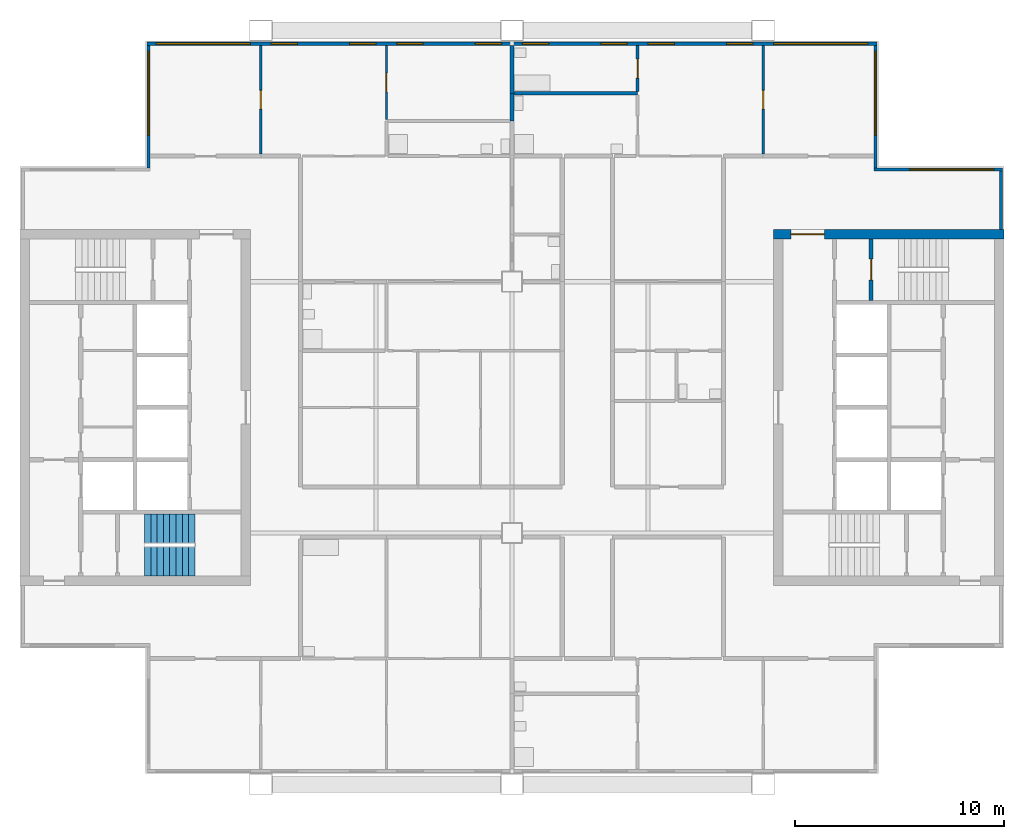
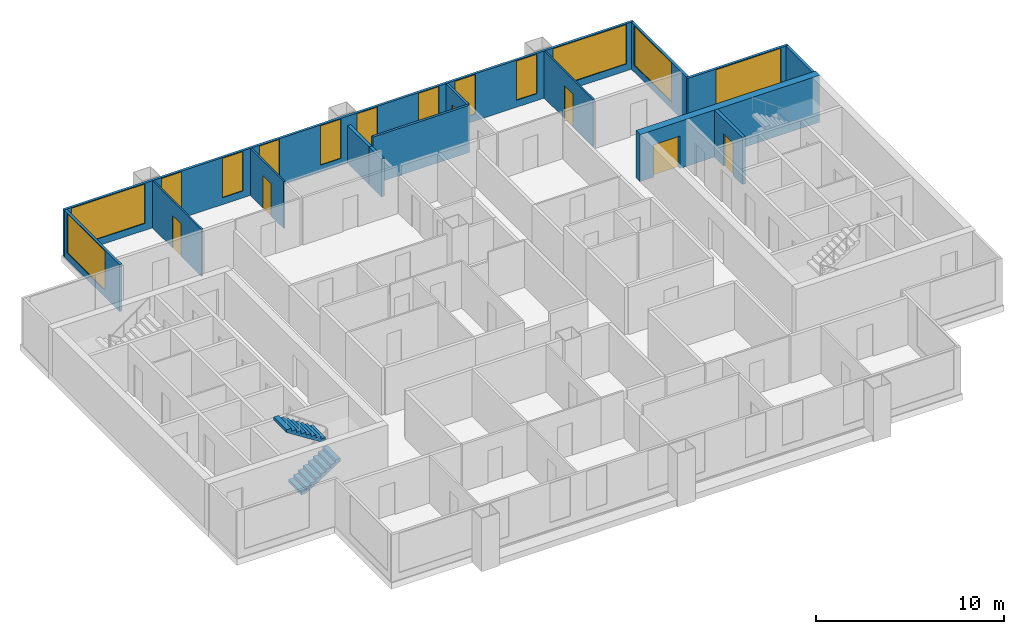
# One storey, part 6 of 9: 14 walls, 13 windows, 6 doors, 2 stair flights, 19 openings, 1 element without a shape of its own.
"""IFC4 building model written with IfcOpenShell, lengths in metres."""

from ifc_helpers import new_model, si_unit, direction, frame, frame_2d, origin, place, context, subcontext, project, spatial, polyline, rectangle, outline, extrude, material, layer, layer_set, type_object, element, fill, aggregate, save


model = new_model("IFC4")

# Units and contexts
model_context = context("Model", 3, precision=1e-05, world=origin(), true_north=direction((0.0, 1.0)))
body_context = subcontext(model_context, "Body", "Model", "MODEL_VIEW")
ifc_project = project(units=[si_unit("LENGTHUNIT", "METRE"), si_unit("AREAUNIT", "SQUARE_METRE"), si_unit("VOLUMEUNIT", "CUBIC_METRE"), si_unit("PLANEANGLEUNIT", "RADIAN"), si_unit("MASSUNIT", "GRAM", prefix="KILO")], contexts=[model_context])

# Site, building, storey
site_placement = place(None, origin())
site = spatial("IfcSite", under=ifc_project, at=site_placement, CompositionType="ELEMENT")
building_placement = place(site_placement, origin())
building = spatial("IfcBuilding", under=site, at=building_placement, Name="Kitamizu Gate Tower and Museum", CompositionType="ELEMENT")
storey_placement = place(building_placement, frame((0.0, 0.0, 221.39990234375)))
storey = spatial("IfcBuildingStorey", under=building, at=storey_placement, Name="L59", CompositionType="ELEMENT", Elevation=221.39990234375)

# Wall, opening, door
ifc_material_1 = material(Name="Concrete Fc42", Category="concrete")
ifc_layer_1 = layer(ifc_material_1, 0.449951171875)
ifc_layer_set_1 = layer_set([ifc_layer_1], Name="Concrete Fc42")
wall_type_1 = type_object("IfcWallType", Name="Core wall 450", PredefinedType="SHEAR", material=ifc_layer_set_1)
wall_1_placement = place(storey_placement, frame((59.5, 38.27490234375, 0.0), z_axis=(0.0, 0.0, 1.0), x_axis=(-1.0, 0.0, 0.0)))
wall_1 = element("IfcWall", 1, at=wall_1_placement, inside=storey, type_object=wall_type_1, Name="Core wall EN", PredefinedType="SHEAR", context=body_context, shape_type="SweptSolid", body=[
    extrude(rectangle(XDim=11.0, YDim=0.449951171875, at=frame_2d((5.5, 0.0))), origin(), (0.0, 0.0, 1.0), 3.050048828125),
])
opening_1_placement = place(wall_1_placement, frame((8.574951171875, 0.0, 0.0)))
opening_1 = element("IfcOpeningElement", 2, at=opening_1_placement, cuts=wall_1, Name="Opening L59-051", PredefinedType="OPENING", context=body_context, shape_type="SweptSolid", body=[
    extrude(rectangle(XDim=1.60009765625, YDim=2.10009765625, at=frame_2d((0.800048828125, 1.050048828125))), frame((0.0, 0.23486328125, 0.0), z_axis=(0.0, -1.0, 0.0), x_axis=(1.0, 0.0, 0.0)), (0.0, 0.0, 1.0), 0.469970703125),
])
ifc_material_2 = material(Name="Timber door set", Category="wood")
door_type_1 = type_object("IfcDoorType", Name="Entrance door 1600", OperationType="DOUBLE_DOOR_SINGLE_SWING", PredefinedType="DOOR", material=ifc_material_2)
door_1_placement = place(opening_1_placement, origin())
door_1 = element("IfcDoor", 3, at=door_1_placement, inside=storey, type_object=door_type_1, Name="Lobby door L59-051", OperationType="DOUBLE_DOOR_SINGLE_SWING", OverallHeight=2.10009765625, OverallWidth=1.60009765625, PredefinedType="DOOR", context=body_context, shape_type="SweptSolid", body=[
    extrude(rectangle(XDim=1.60009765625, YDim=2.10009765625, at=frame_2d((0.800048828125, 1.050048828125))), frame((0.0, 0.02490234375, 0.0), z_axis=(0.0, -1.0, 0.0), x_axis=(1.0, 0.0, 0.0)), (0.0, 0.0, 1.0), 0.050048828125),
])
fill(opening_1, door_1)

ifc_material_3 = material(Name="Gypsum board on galvanised stud")
ifc_layer_2 = layer(ifc_material_3, 0.10009765625)
ifc_layer_set_2 = layer_set([ifc_layer_2], Name="Gypsum board on galvanised stud")
wall_type_2 = type_object("IfcWallType", Name="Partition 100 NOT RATED", PredefinedType="PARTITIONING", material=ifc_layer_set_2)
wall_2_placement = place(storey_placement, frame((24.0, 42.10009765625, 0.0), z_axis=(0.0, 0.0, 1.0), x_axis=(0.0, 1.0, 0.0)))
wall_2 = element("IfcWall", 4, at=wall_2_placement, inside=storey, type_object=wall_type_2, Name="Partition L59-031", PredefinedType="PARTITIONING", context=body_context, shape_type="SweptSolid", body=[
    extrude(rectangle(XDim=5.179931640625, YDim=0.10009765625, at=frame_2d((2.58984375, 0.0))), origin(), (0.0, 0.0, 1.0), 3.050048828125),
])
opening_2_placement = place(wall_2_placement, frame((2.139892578125, 0.0, 0.0)))
opening_2 = element("IfcOpeningElement", 5, at=opening_2_placement, cuts=wall_2, Name="Opening L59-013", PredefinedType="OPENING", context=body_context, shape_type="SweptSolid", body=[
    extrude(rectangle(XDim=0.89990234375, YDim=2.10009765625, at=frame_2d((0.449951171875, 1.050048828125))), frame((0.0, 0.06005859375, 0.0), z_axis=(0.0, -1.0, 0.0), x_axis=(1.0, 0.0, 0.0)), (0.0, 0.0, 1.0), 0.1201171875),
])
ifc_material_4 = material(Name="Timber door set", Category="wood")
door_type_2 = type_object("IfcDoorType", Name="Room door 900", OperationType="NOTDEFINED", PredefinedType="DOOR", material=ifc_material_4)
door_2_placement = place(opening_2_placement, frame((0.89990234375, 0.0, 0.0), x_axis=(-1.0, 0.0, 0.0)))
door_2 = element("IfcDoor", 6, at=door_2_placement, inside=storey, type_object=door_type_2, Name="Door L59-013", OperationType="SINGLE_SWING_LEFT", OverallHeight=2.10009765625, OverallWidth=0.89990234375, PredefinedType="DOOR", context=body_context, shape_type="SweptSolid", body=[
    extrude(rectangle(XDim=0.89990234375, YDim=2.10009765625, at=frame_2d((0.449951171875, 1.050048828125))), frame((0.0, 0.02490234375, 0.0), z_axis=(0.0, -1.0, 0.0), x_axis=(1.0, 0.0, 0.0)), (0.0, 0.0, 1.0), 0.050048828125),
])
fill(opening_2, door_2)

wall_3_placement = place(storey_placement, frame((30.0, 43.7548828125, 0.0), z_axis=(0.0, 0.0, 1.0), x_axis=(0.0, 1.0, 0.0)))
wall_3 = element("IfcWall", 7, at=wall_3_placement, inside=storey, type_object=wall_type_2, Name="Partition L59-033", PredefinedType="PARTITIONING", context=body_context, shape_type="SweptSolid", body=[
    extrude(rectangle(XDim=3.525146484375, YDim=0.10009765625, at=frame_2d((1.7626953125, 0.0))), origin(), (0.0, 0.0, 1.0), 3.050048828125),
])
opening_3_placement = place(wall_3_placement, frame((1.3125, 0.0, 0.0)))
opening_3 = element("IfcOpeningElement", 8, at=opening_3_placement, cuts=wall_3, Name="Opening L59-017", PredefinedType="OPENING", context=body_context, shape_type="SweptSolid", body=[
    extrude(rectangle(XDim=0.89990234375, YDim=2.10009765625, at=frame_2d((0.449951171875, 1.050048828125))), frame((0.0, 0.06005859375, 0.0), z_axis=(0.0, -1.0, 0.0), x_axis=(1.0, 0.0, 0.0)), (0.0, 0.0, 1.0), 0.1201171875),
])
door_3_placement = place(opening_3_placement, frame((0.89990234375, 0.0, 0.0), x_axis=(-1.0, 0.0, 0.0)))
door_3 = element("IfcDoor", 9, at=door_3_placement, inside=storey, type_object=door_type_2, Name="Door L59-017", OperationType="SINGLE_SWING_LEFT", OverallHeight=2.10009765625, OverallWidth=0.89990234375, PredefinedType="DOOR", context=body_context, shape_type="SweptSolid", body=[
    extrude(rectangle(XDim=0.89990234375, YDim=2.10009765625, at=frame_2d((0.449951171875, 1.050048828125))), frame((0.0, 0.02490234375, 0.0), z_axis=(0.0, -1.0, 0.0), x_axis=(1.0, 0.0, 0.0)), (0.0, 0.0, 1.0), 0.050048828125),
])
fill(opening_3, door_3)

wall_4_placement = place(storey_placement, frame((48.0, 42.10009765625, 0.0), z_axis=(0.0, 0.0, 1.0), x_axis=(0.0, 1.0, 0.0)))
wall_4 = element("IfcWall", 10, at=wall_4_placement, inside=storey, type_object=wall_type_2, Name="Partition L59-076", PredefinedType="PARTITIONING", context=body_context, shape_type="SweptSolid", body=[
    extrude(rectangle(XDim=5.179931640625, YDim=0.10009765625, at=frame_2d((2.58984375, 0.0))), origin(), (0.0, 0.0, 1.0), 3.050048828125),
])
opening_4_placement = place(wall_4_placement, frame((2.139892578125, 0.0, 0.0)))
opening_4 = element("IfcOpeningElement", 11, at=opening_4_placement, cuts=wall_4, Name="Opening L59-026", PredefinedType="OPENING", context=body_context, shape_type="SweptSolid", body=[
    extrude(rectangle(XDim=0.89990234375, YDim=2.10009765625, at=frame_2d((0.449951171875, 1.050048828125))), frame((0.0, 0.06005859375, 0.0), z_axis=(0.0, -1.0, 0.0), x_axis=(1.0, 0.0, 0.0)), (0.0, 0.0, 1.0), 0.1201171875),
])
door_4_placement = place(opening_4_placement, origin())
door_4 = element("IfcDoor", 12, at=door_4_placement, inside=storey, type_object=door_type_2, Name="Door L59-026", OperationType="SINGLE_SWING_RIGHT", OverallHeight=2.10009765625, OverallWidth=0.89990234375, PredefinedType="DOOR", context=body_context, shape_type="SweptSolid", body=[
    extrude(rectangle(XDim=0.89990234375, YDim=2.10009765625, at=frame_2d((0.449951171875, 1.050048828125))), frame((0.0, 0.02490234375, 0.0), z_axis=(0.0, -1.0, 0.0), x_axis=(1.0, 0.0, 0.0)), (0.0, 0.0, 1.0), 0.050048828125),
])
fill(opening_4, door_4)

# Wall
ifc_material_5 = material(Name="Gypsum board on galvanised stud")
ifc_layer_3 = layer(ifc_material_5, 0.14990234375)
ifc_layer_set_3 = layer_set([ifc_layer_3], Name="Gypsum board on galvanised stud")
wall_type_3 = type_object("IfcWallType", Name="Partition 150", PredefinedType="PARTITIONING", material=ifc_layer_set_3)
wall_5_placement = place(storey_placement, frame((42.0, 45.0, 0.0), z_axis=(0.0, 0.0, 1.0), x_axis=(-1.0, 0.0, 0.0)))
element("IfcWall", 13, at=wall_5_placement, inside=storey, type_object=wall_type_3, Name="Partition L59-071", PredefinedType="PARTITIONING", context=body_context, shape_type="SweptSolid", body=[
    extrude(rectangle(XDim=5.89990234375, YDim=0.14990234375, at=frame_2d((2.949951171875, 0.0))), origin(), (0.0, 0.0, 1.0), 3.050048828125),
])

# Wall, opening, door
wall_6_placement = place(storey_placement, frame((42.0, 45.074951171875, 0.0), z_axis=(0.0, 0.0, 1.0), x_axis=(0.0, 1.0, 0.0)))
wall_6 = element("IfcWall", 14, at=wall_6_placement, inside=storey, type_object=wall_type_3, Name="Partition L59-075", PredefinedType="PARTITIONING", context=body_context, shape_type="SweptSolid", body=[
    extrude(rectangle(XDim=2.205078125, YDim=0.14990234375, at=frame_2d((1.1025390625, 0.0))), origin(), (0.0, 0.0, 1.0), 3.050048828125),
])
opening_5_placement = place(wall_6_placement, frame((0.652587890625, 0.0, 0.0)))
opening_5 = element("IfcOpeningElement", 15, at=opening_5_placement, cuts=wall_6, Name="Opening L59-029", PredefinedType="OPENING", context=body_context, shape_type="SweptSolid", body=[
    extrude(rectangle(XDim=0.89990234375, YDim=2.10009765625, at=frame_2d((0.449951171875, 1.050048828125))), frame((0.0, 0.0849609375, 0.0), z_axis=(0.0, -1.0, 0.0), x_axis=(1.0, 0.0, 0.0)), (0.0, 0.0, 1.0), 0.169921875),
])
ifc_material_6 = material(Name="Timber door set", Category="wood")
door_type_3 = type_object("IfcDoorType", Name="Bathroom door 900", OperationType="NOTDEFINED", PredefinedType="DOOR", material=ifc_material_6)
door_5_placement = place(opening_5_placement, origin())
door_5 = element("IfcDoor", 16, at=door_5_placement, inside=storey, type_object=door_type_3, Name="Bathroom door L59-029", OperationType="SINGLE_SWING_LEFT", OverallHeight=2.10009765625, OverallWidth=0.89990234375, PredefinedType="DOOR", context=body_context, shape_type="SweptSolid", body=[
    extrude(rectangle(XDim=0.89990234375, YDim=2.10009765625, at=frame_2d((0.449951171875, 1.050048828125))), frame((0.0, 0.02490234375, 0.0), z_axis=(0.0, -1.0, 0.0), x_axis=(1.0, 0.0, 0.0)), (0.0, 0.0, 1.0), 0.050048828125),
])
fill(opening_5, door_5)

# Walls
ifc_material_7 = material(Name="Gypsum board on galvanised stud")
ifc_layer_4 = layer(ifc_material_7, 0.199951171875)
ifc_layer_set_4 = layer_set([ifc_layer_4], Name="Gypsum board on galvanised stud")
wall_type_4 = type_object("IfcWallType", Name="Partition 200", PredefinedType="PARTITIONING", material=ifc_layer_set_4)
wall_7_placement = place(storey_placement, frame((36.0, 43.679931640625, 0.0), z_axis=(0.0, 0.0, 1.0), x_axis=(0.0, 1.0, 0.0)))
element("IfcWall", 17, at=wall_7_placement, inside=storey, type_object=wall_type_4, Name="Partition L59-038", PredefinedType="PARTITIONING", context=body_context, shape_type="SweptSolid", body=[
    extrude(rectangle(XDim=1.320068359375, YDim=0.199951171875, at=frame_2d((0.66015625, 0.0))), origin(), (0.0, 0.0, 1.0), 2.4501953125),
])
wall_8_placement = place(storey_placement, frame((36.0, 45.0, 0.0), z_axis=(0.0, 0.0, 1.0), x_axis=(0.0, 1.0, 0.0)))
element("IfcWall", 18, at=wall_8_placement, inside=storey, type_object=wall_type_4, Name="Partition L59-039", PredefinedType="PARTITIONING", context=body_context, shape_type="SweptSolid", body=[
    extrude(rectangle(XDim=2.280029296875, YDim=0.199951171875, at=frame_2d((1.14013671875, 0.0))), origin(), (0.0, 0.0, 1.0), 2.4501953125),
])

# Wall, opening, door
ifc_material_8 = material(Name="Concrete Fc42", Category="concrete")
ifc_layer_5 = layer(ifc_material_8, 0.199951171875)
ifc_layer_set_5 = layer_set([ifc_layer_5], Name="Concrete Fc42")
wall_type_5 = type_object("IfcWallType", Name="Shaft wall 200", PredefinedType="SOLIDWALL", material=ifc_layer_set_5)
wall_9_placement = place(storey_placement, frame((53.14990234375, 35.10009765625, 0.0), z_axis=(0.0, 0.0, 1.0), x_axis=(0.0, 1.0, 0.0)))
wall_9 = element("IfcWall", 19, at=wall_9_placement, inside=storey, type_object=wall_type_5, Name="Shaft wall ENZ", PredefinedType="SOLIDWALL", context=body_context, shape_type="SweptSolid", body=[
    extrude(rectangle(XDim=2.949951171875, YDim=0.199951171875, at=frame_2d((1.47509765625, 0.0))), origin(), (0.0, 0.0, 1.0), 3.050048828125),
])
opening_6_placement = place(wall_9_placement, frame((0.97509765625, 0.0, 0.0)))
opening_6 = element("IfcOpeningElement", 20, at=opening_6_placement, cuts=wall_9, Name="Opening L59-048", PredefinedType="OPENING", context=body_context, shape_type="SweptSolid", body=[
    extrude(rectangle(XDim=1.0, YDim=2.10009765625, at=frame_2d((0.5, 1.050048828125))), frame((0.0, 0.10986328125, 0.0), z_axis=(0.0, -1.0, 0.0), x_axis=(1.0, 0.0, 0.0)), (0.0, 0.0, 1.0), 0.219970703125),
])
ifc_material_9 = material(Name="Hollow metal door set")
door_type_4 = type_object("IfcDoorType", Name="Fire door 1000", OperationType="NOTDEFINED", PredefinedType="DOOR", material=ifc_material_9)
door_6_placement = place(opening_6_placement, frame((1.0, 0.0, 0.0), x_axis=(-1.0, 0.0, 0.0)))
door_6 = element("IfcDoor", 21, at=door_6_placement, inside=storey, type_object=door_type_4, Name="Stair door L59-048", OperationType="SINGLE_SWING_LEFT", OverallHeight=2.10009765625, OverallWidth=1.0, PredefinedType="DOOR", context=body_context, shape_type="SweptSolid", body=[
    extrude(rectangle(XDim=1.0, YDim=2.10009765625, at=frame_2d((0.5, 1.050048828125))), frame((0.0, 0.02490234375, 0.0), z_axis=(0.0, -1.0, 0.0), x_axis=(1.0, 0.0, 0.0)), (0.0, 0.0, 1.0), 0.050048828125),
])
fill(opening_6, door_6)

# Wall
ifc_material_10 = material(Name="Bronze anodised aluminium frame with insulated spandrel and tinted glass", Category="aluminium")
ifc_layer_6 = layer(ifc_material_10, 0.14990234375)
ifc_layer_set_6 = layer_set([ifc_layer_6], Name="Bronze anodised aluminium frame with insulated spandrel and tinted glass")
wall_type_6 = type_object("IfcWallType", Name="WINDOW WALL 150 BRONZE FRAME EI 30", PredefinedType="ELEMENTEDWALL", material=ifc_layer_set_6)
wall_10_placement = place(storey_placement, frame((59.364990234375, 38.5, 0.0), z_axis=(0.0, 0.0, 1.0), x_axis=(0.0, 1.0, 0.0)))
element("IfcWall", 22, at=wall_10_placement, inside=storey, type_object=wall_type_6, Name="Window wall east L59", PredefinedType="ELEMENTEDWALL", context=body_context, shape_type="SweptSolid", body=[
    extrude(rectangle(XDim=2.7900390625, YDim=0.14990234375, at=frame_2d((1.39501953125, 0.0))), origin(), (0.0, 0.0, 1.0), 3.050048828125),
])

# Wall, opening, window
wall_11_placement = place(storey_placement, frame((53.2900390625, 41.364990234375, 0.0), z_axis=(0.0, 0.0, 1.0), x_axis=(1.0, 0.0, 0.0)))
wall_11 = element("IfcWall", 23, at=wall_11_placement, inside=storey, type_object=wall_type_6, Name="Window wall north L59", PredefinedType="ELEMENTEDWALL", context=body_context, shape_type="SweptSolid", body=[
    extrude(rectangle(XDim=6.14990234375, YDim=0.14990234375, at=frame_2d((3.074951171875, 0.0))), origin(), (0.0, 0.0, 1.0), 3.050048828125),
])
opening_7_placement = place(wall_11_placement, frame((1.7099609375, 0.0, 0.449951171875)))
opening_7 = element("IfcOpeningElement", 24, at=opening_7_placement, cuts=wall_11, Name="Opening W16", PredefinedType="OPENING", context=body_context, shape_type="SweptSolid", body=[
    extrude(rectangle(XDim=4.0, YDim=2.550048828125, at=frame_2d((2.0, 1.27490234375))), frame((0.0, 0.0849609375, 0.0), z_axis=(0.0, -1.0, 0.0), x_axis=(1.0, 0.0, 0.0)), (0.0, 0.0, 1.0), 0.169921875),
])
ifc_material_11 = material(Name="Bronze anodised aluminium frame, tinted triple glazing", Category="aluminium")
window_type_1 = type_object("IfcWindowType", Name="WINDOW 4000 x 2550 SILL 450", PartitioningType="SINGLE_PANEL", PredefinedType="WINDOW", material=ifc_material_11)
window_1_placement = place(opening_7_placement, origin())
window_1 = element("IfcWindow", 25, at=window_1_placement, inside=storey, type_object=window_type_1, Name="Window W16 L59", OverallHeight=2.550048828125, OverallWidth=4.0, PartitioningType="SINGLE_PANEL", PredefinedType="WINDOW", context=body_context, shape_type="SweptSolid", body=[
    extrude(rectangle(XDim=4.0, YDim=2.550048828125, at=frame_2d((2.0, 1.27490234375))), frame((0.0, 0.030029296875, 0.0), z_axis=(0.0, -1.0, 0.0), x_axis=(1.0, 0.0, 0.0)), (0.0, 0.0, 1.0), 0.06005859375),
])
fill(opening_7, window_1)

wall_12_placement = place(storey_placement, frame((53.364990234375, 41.43994140625, 0.0), z_axis=(0.0, 0.0, 1.0), x_axis=(0.0, 1.0, 0.0)))
wall_12 = element("IfcWall", 26, at=wall_12_placement, inside=storey, type_object=wall_type_6, Name="Window wall east L59", PredefinedType="ELEMENTEDWALL", context=body_context, shape_type="SweptSolid", body=[
    extrude(rectangle(XDim=5.85009765625, YDim=0.14990234375, at=frame_2d((2.925048828125, 0.0))), origin(), (0.0, 0.0, 1.0), 3.050048828125),
])
opening_8_placement = place(wall_12_placement, frame((1.56005859375, 0.0, 0.449951171875)))
opening_8 = element("IfcOpeningElement", 27, at=opening_8_placement, cuts=wall_12, Name="Opening W16", PredefinedType="OPENING", context=body_context, shape_type="SweptSolid", body=[
    extrude(rectangle(XDim=4.0, YDim=2.550048828125, at=frame_2d((2.0, 1.27490234375))), frame((0.0, 0.0849609375, 0.0), z_axis=(0.0, -1.0, 0.0), x_axis=(1.0, 0.0, 0.0)), (0.0, 0.0, 1.0), 0.169921875),
])
window_2_placement = place(opening_8_placement, origin())
window_2 = element("IfcWindow", 28, at=window_2_placement, inside=storey, type_object=window_type_1, Name="Window W16 L59", OverallHeight=2.550048828125, OverallWidth=4.0, PartitioningType="SINGLE_PANEL", PredefinedType="WINDOW", context=body_context, shape_type="SweptSolid", body=[
    extrude(rectangle(XDim=4.0, YDim=2.550048828125, at=frame_2d((2.0, 1.27490234375))), frame((0.0, 0.030029296875, 0.0), z_axis=(0.0, -1.0, 0.0), x_axis=(1.0, 0.0, 0.0)), (0.0, 0.0, 1.0), 0.06005859375),
])
fill(opening_8, window_2)

# Wall, openings, windows
wall_13_placement = place(storey_placement, frame((18.56005859375, 47.364990234375, 0.0), z_axis=(0.0, 0.0, 1.0), x_axis=(1.0, 0.0, 0.0)))
wall_13 = element("IfcWall", 29, at=wall_13_placement, inside=storey, type_object=wall_type_6, Name="Window wall north L59", PredefinedType="ELEMENTEDWALL", context=body_context, shape_type="SweptSolid", body=[
    extrude(rectangle(XDim=34.8798828125, YDim=0.14990234375, at=frame_2d((17.43994140625, 0.0))), origin(), (0.0, 0.0, 1.0), 3.050048828125),
])
opening_9_placement = place(wall_13_placement, frame((0.43994140625, 0.0, 0.449951171875)))
opening_9 = element("IfcOpeningElement", 30, at=opening_9_placement, cuts=wall_13, Name="Opening W15", PredefinedType="OPENING", context=body_context, shape_type="SweptSolid", body=[
    extrude(rectangle(XDim=4.5, YDim=2.550048828125, at=frame_2d((2.25, 1.27490234375))), frame((0.0, 0.0849609375, 0.0), z_axis=(0.0, -1.0, 0.0), x_axis=(1.0, 0.0, 0.0)), (0.0, 0.0, 1.0), 0.169921875),
])
opening_10_placement = place(wall_13_placement, frame((5.93994140625, 0.0, 0.449951171875)))
opening_10 = element("IfcOpeningElement", 31, at=opening_10_placement, cuts=wall_13, Name="Opening W27", PredefinedType="OPENING", context=body_context, shape_type="SweptSolid", body=[
    extrude(rectangle(XDim=1.25, YDim=2.550048828125, at=frame_2d((0.625, 1.27490234375))), frame((0.0, 0.0849609375, 0.0), z_axis=(0.0, -1.0, 0.0), x_axis=(1.0, 0.0, 0.0)), (0.0, 0.0, 1.0), 0.169921875),
])
opening_11_placement = place(wall_13_placement, frame((9.68994140625, 0.0, 0.449951171875)))
opening_11 = element("IfcOpeningElement", 32, at=opening_11_placement, cuts=wall_13, Name="Opening W27", PredefinedType="OPENING", context=body_context, shape_type="SweptSolid", body=[
    extrude(rectangle(XDim=1.25, YDim=2.550048828125, at=frame_2d((0.625, 1.27490234375))), frame((0.0, 0.0849609375, 0.0), z_axis=(0.0, -1.0, 0.0), x_axis=(1.0, 0.0, 0.0)), (0.0, 0.0, 1.0), 0.169921875),
])
opening_12_placement = place(wall_13_placement, frame((11.93994140625, 0.0, 0.449951171875)))
opening_12 = element("IfcOpeningElement", 33, at=opening_12_placement, cuts=wall_13, Name="Opening W27", PredefinedType="OPENING", context=body_context, shape_type="SweptSolid", body=[
    extrude(rectangle(XDim=1.25, YDim=2.550048828125, at=frame_2d((0.625, 1.27490234375))), frame((0.0, 0.0849609375, 0.0), z_axis=(0.0, -1.0, 0.0), x_axis=(1.0, 0.0, 0.0)), (0.0, 0.0, 1.0), 0.169921875),
])
opening_13_placement = place(wall_13_placement, frame((15.68994140625, 0.0, 0.449951171875)))
opening_13 = element("IfcOpeningElement", 34, at=opening_13_placement, cuts=wall_13, Name="Opening W27", PredefinedType="OPENING", context=body_context, shape_type="SweptSolid", body=[
    extrude(rectangle(XDim=1.25, YDim=2.550048828125, at=frame_2d((0.625, 1.27490234375))), frame((0.0, 0.0849609375, 0.0), z_axis=(0.0, -1.0, 0.0), x_axis=(1.0, 0.0, 0.0)), (0.0, 0.0, 1.0), 0.169921875),
])
opening_14_placement = place(wall_13_placement, frame((17.93994140625, 0.0, 0.449951171875)))
opening_14 = element("IfcOpeningElement", 35, at=opening_14_placement, cuts=wall_13, Name="Opening W27", PredefinedType="OPENING", context=body_context, shape_type="SweptSolid", body=[
    extrude(rectangle(XDim=1.25, YDim=2.550048828125, at=frame_2d((0.625, 1.27490234375))), frame((0.0, 0.0849609375, 0.0), z_axis=(0.0, -1.0, 0.0), x_axis=(1.0, 0.0, 0.0)), (0.0, 0.0, 1.0), 0.169921875),
])
opening_15_placement = place(wall_13_placement, frame((21.68994140625, 0.0, 0.449951171875)))
opening_15 = element("IfcOpeningElement", 36, at=opening_15_placement, cuts=wall_13, Name="Opening W27", PredefinedType="OPENING", context=body_context, shape_type="SweptSolid", body=[
    extrude(rectangle(XDim=1.25, YDim=2.550048828125, at=frame_2d((0.625, 1.27490234375))), frame((0.0, 0.0849609375, 0.0), z_axis=(0.0, -1.0, 0.0), x_axis=(1.0, 0.0, 0.0)), (0.0, 0.0, 1.0), 0.169921875),
])
opening_16_placement = place(wall_13_placement, frame((23.93994140625, 0.0, 0.449951171875)))
opening_16 = element("IfcOpeningElement", 37, at=opening_16_placement, cuts=wall_13, Name="Opening W27", PredefinedType="OPENING", context=body_context, shape_type="SweptSolid", body=[
    extrude(rectangle(XDim=1.25, YDim=2.550048828125, at=frame_2d((0.625, 1.27490234375))), frame((0.0, 0.0849609375, 0.0), z_axis=(0.0, -1.0, 0.0), x_axis=(1.0, 0.0, 0.0)), (0.0, 0.0, 1.0), 0.169921875),
])
opening_17_placement = place(wall_13_placement, frame((27.68994140625, 0.0, 0.449951171875)))
opening_17 = element("IfcOpeningElement", 38, at=opening_17_placement, cuts=wall_13, Name="Opening W27", PredefinedType="OPENING", context=body_context, shape_type="SweptSolid", body=[
    extrude(rectangle(XDim=1.25, YDim=2.550048828125, at=frame_2d((0.625, 1.27490234375))), frame((0.0, 0.0849609375, 0.0), z_axis=(0.0, -1.0, 0.0), x_axis=(1.0, 0.0, 0.0)), (0.0, 0.0, 1.0), 0.169921875),
])
opening_18_placement = place(wall_13_placement, frame((29.93994140625, 0.0, 0.449951171875)))
opening_18 = element("IfcOpeningElement", 39, at=opening_18_placement, cuts=wall_13, Name="Opening W15", PredefinedType="OPENING", context=body_context, shape_type="SweptSolid", body=[
    extrude(rectangle(XDim=4.5, YDim=2.550048828125, at=frame_2d((2.25, 1.27490234375))), frame((0.0, 0.0849609375, 0.0), z_axis=(0.0, -1.0, 0.0), x_axis=(1.0, 0.0, 0.0)), (0.0, 0.0, 1.0), 0.169921875),
])
ifc_material_12 = material(Name="Bronze anodised aluminium frame, tinted triple glazing", Category="aluminium")
window_type_2 = type_object("IfcWindowType", Name="WINDOW 1250 x 2550 SILL 450", PartitioningType="SINGLE_PANEL", PredefinedType="WINDOW", material=ifc_material_12)
window_3_placement = place(opening_10_placement, origin())
window_3 = element("IfcWindow", 40, at=window_3_placement, inside=storey, type_object=window_type_2, Name="Window W27 L59", OverallHeight=2.550048828125, OverallWidth=1.25, PartitioningType="SINGLE_PANEL", PredefinedType="WINDOW", context=body_context, shape_type="SweptSolid", body=[
    extrude(rectangle(XDim=1.25, YDim=2.550048828125, at=frame_2d((0.625, 1.27490234375))), frame((0.0, 0.030029296875, 0.0), z_axis=(0.0, -1.0, 0.0), x_axis=(1.0, 0.0, 0.0)), (0.0, 0.0, 1.0), 0.06005859375),
])
fill(opening_10, window_3)
window_4_placement = place(opening_11_placement, origin())
window_4 = element("IfcWindow", 41, at=window_4_placement, inside=storey, type_object=window_type_2, Name="Window W27 L59", OverallHeight=2.550048828125, OverallWidth=1.25, PartitioningType="SINGLE_PANEL", PredefinedType="WINDOW", context=body_context, shape_type="SweptSolid", body=[
    extrude(rectangle(XDim=1.25, YDim=2.550048828125, at=frame_2d((0.625, 1.27490234375))), frame((0.0, 0.030029296875, 0.0), z_axis=(0.0, -1.0, 0.0), x_axis=(1.0, 0.0, 0.0)), (0.0, 0.0, 1.0), 0.06005859375),
])
fill(opening_11, window_4)
window_5_placement = place(opening_12_placement, origin())
window_5 = element("IfcWindow", 42, at=window_5_placement, inside=storey, type_object=window_type_2, Name="Window W27 L59", OverallHeight=2.550048828125, OverallWidth=1.25, PartitioningType="SINGLE_PANEL", PredefinedType="WINDOW", context=body_context, shape_type="SweptSolid", body=[
    extrude(rectangle(XDim=1.25, YDim=2.550048828125, at=frame_2d((0.625, 1.27490234375))), frame((0.0, 0.030029296875, 0.0), z_axis=(0.0, -1.0, 0.0), x_axis=(1.0, 0.0, 0.0)), (0.0, 0.0, 1.0), 0.06005859375),
])
fill(opening_12, window_5)
window_6_placement = place(opening_13_placement, origin())
window_6 = element("IfcWindow", 43, at=window_6_placement, inside=storey, type_object=window_type_2, Name="Window W27 L59", OverallHeight=2.550048828125, OverallWidth=1.25, PartitioningType="SINGLE_PANEL", PredefinedType="WINDOW", context=body_context, shape_type="SweptSolid", body=[
    extrude(rectangle(XDim=1.25, YDim=2.550048828125, at=frame_2d((0.625, 1.27490234375))), frame((0.0, 0.030029296875, 0.0), z_axis=(0.0, -1.0, 0.0), x_axis=(1.0, 0.0, 0.0)), (0.0, 0.0, 1.0), 0.06005859375),
])
fill(opening_13, window_6)
window_7_placement = place(opening_14_placement, origin())
window_7 = element("IfcWindow", 44, at=window_7_placement, inside=storey, type_object=window_type_2, Name="Window W27 L59", OverallHeight=2.550048828125, OverallWidth=1.25, PartitioningType="SINGLE_PANEL", PredefinedType="WINDOW", context=body_context, shape_type="SweptSolid", body=[
    extrude(rectangle(XDim=1.25, YDim=2.550048828125, at=frame_2d((0.625, 1.27490234375))), frame((0.0, 0.030029296875, 0.0), z_axis=(0.0, -1.0, 0.0), x_axis=(1.0, 0.0, 0.0)), (0.0, 0.0, 1.0), 0.06005859375),
])
fill(opening_14, window_7)
window_8_placement = place(opening_15_placement, origin())
window_8 = element("IfcWindow", 45, at=window_8_placement, inside=storey, type_object=window_type_2, Name="Window W27 L59", OverallHeight=2.550048828125, OverallWidth=1.25, PartitioningType="SINGLE_PANEL", PredefinedType="WINDOW", context=body_context, shape_type="SweptSolid", body=[
    extrude(rectangle(XDim=1.25, YDim=2.550048828125, at=frame_2d((0.625, 1.27490234375))), frame((0.0, 0.030029296875, 0.0), z_axis=(0.0, -1.0, 0.0), x_axis=(1.0, 0.0, 0.0)), (0.0, 0.0, 1.0), 0.06005859375),
])
fill(opening_15, window_8)
window_9_placement = place(opening_16_placement, origin())
window_9 = element("IfcWindow", 46, at=window_9_placement, inside=storey, type_object=window_type_2, Name="Window W27 L59", OverallHeight=2.550048828125, OverallWidth=1.25, PartitioningType="SINGLE_PANEL", PredefinedType="WINDOW", context=body_context, shape_type="SweptSolid", body=[
    extrude(rectangle(XDim=1.25, YDim=2.550048828125, at=frame_2d((0.625, 1.27490234375))), frame((0.0, 0.030029296875, 0.0), z_axis=(0.0, -1.0, 0.0), x_axis=(1.0, 0.0, 0.0)), (0.0, 0.0, 1.0), 0.06005859375),
])
fill(opening_16, window_9)
window_10_placement = place(opening_17_placement, origin())
window_10 = element("IfcWindow", 47, at=window_10_placement, inside=storey, type_object=window_type_2, Name="Window W27 L59", OverallHeight=2.550048828125, OverallWidth=1.25, PartitioningType="SINGLE_PANEL", PredefinedType="WINDOW", context=body_context, shape_type="SweptSolid", body=[
    extrude(rectangle(XDim=1.25, YDim=2.550048828125, at=frame_2d((0.625, 1.27490234375))), frame((0.0, 0.030029296875, 0.0), z_axis=(0.0, -1.0, 0.0), x_axis=(1.0, 0.0, 0.0)), (0.0, 0.0, 1.0), 0.06005859375),
])
fill(opening_17, window_10)
ifc_material_13 = material(Name="Bronze anodised aluminium frame, tinted triple glazing", Category="aluminium")
window_type_3 = type_object("IfcWindowType", Name="WINDOW 4500 x 2550 SILL 450", PartitioningType="SINGLE_PANEL", PredefinedType="WINDOW", material=ifc_material_13)
window_11_placement = place(opening_9_placement, origin())
window_11 = element("IfcWindow", 48, at=window_11_placement, inside=storey, type_object=window_type_3, Name="Window W15 L59", OverallHeight=2.550048828125, OverallWidth=4.5, PartitioningType="SINGLE_PANEL", PredefinedType="WINDOW", context=body_context, shape_type="SweptSolid", body=[
    extrude(rectangle(XDim=4.5, YDim=2.550048828125, at=frame_2d((2.25, 1.27490234375))), frame((0.0, 0.030029296875, 0.0), z_axis=(0.0, -1.0, 0.0), x_axis=(1.0, 0.0, 0.0)), (0.0, 0.0, 1.0), 0.06005859375),
])
fill(opening_9, window_11)
window_12_placement = place(opening_18_placement, origin())
window_12 = element("IfcWindow", 49, at=window_12_placement, inside=storey, type_object=window_type_3, Name="Window W15 L59", OverallHeight=2.550048828125, OverallWidth=4.5, PartitioningType="SINGLE_PANEL", PredefinedType="WINDOW", context=body_context, shape_type="SweptSolid", body=[
    extrude(rectangle(XDim=4.5, YDim=2.550048828125, at=frame_2d((2.25, 1.27490234375))), frame((0.0, 0.030029296875, 0.0), z_axis=(0.0, -1.0, 0.0), x_axis=(1.0, 0.0, 0.0)), (0.0, 0.0, 1.0), 0.06005859375),
])
fill(opening_18, window_12)

# Wall, opening, window
wall_14_placement = place(storey_placement, frame((18.635009765625, 41.43994140625, 0.0), z_axis=(0.0, 0.0, 1.0), x_axis=(0.0, 1.0, 0.0)))
wall_14 = element("IfcWall", 50, at=wall_14_placement, inside=storey, type_object=wall_type_6, Name="Window wall west L59", PredefinedType="ELEMENTEDWALL", context=body_context, shape_type="SweptSolid", body=[
    extrude(rectangle(XDim=5.85009765625, YDim=0.14990234375, at=frame_2d((2.925048828125, 0.0))), origin(), (0.0, 0.0, 1.0), 3.050048828125),
])
opening_19_placement = place(wall_14_placement, frame((1.56005859375, 0.0, 0.449951171875)))
opening_19 = element("IfcOpeningElement", 51, at=opening_19_placement, cuts=wall_14, Name="Opening W16", PredefinedType="OPENING", context=body_context, shape_type="SweptSolid", body=[
    extrude(rectangle(XDim=4.0, YDim=2.550048828125, at=frame_2d((2.0, 1.27490234375))), frame((0.0, 0.0849609375, 0.0), z_axis=(0.0, -1.0, 0.0), x_axis=(1.0, 0.0, 0.0)), (0.0, 0.0, 1.0), 0.169921875),
])
window_13_placement = place(opening_19_placement, origin())
window_13 = element("IfcWindow", 52, at=window_13_placement, inside=storey, type_object=window_type_1, Name="Window W16 L59", OverallHeight=2.550048828125, OverallWidth=4.0, PartitioningType="SINGLE_PANEL", PredefinedType="WINDOW", context=body_context, shape_type="SweptSolid", body=[
    extrude(rectangle(XDim=4.0, YDim=2.550048828125, at=frame_2d((2.0, 1.27490234375))), frame((0.0, 0.030029296875, 0.0), z_axis=(0.0, -1.0, 0.0), x_axis=(1.0, 0.0, 0.0)), (0.0, 0.0, 1.0), 0.06005859375),
])
fill(opening_19, window_13)

# Stair, stair flights
ifc_material_14 = material(Name="Concrete Fc42", Category="concrete")
stair_type = type_object("IfcStairType", Name="Exit stair 1375 wide 192 rise 300 going", PredefinedType="HALF_TURN_STAIR", material=ifc_material_14)
stair_placement = place(storey_placement, origin())
stair = element("IfcStair", 53, at=stair_placement, inside=storey, type_object=stair_type, Name="Exit stair ST1", PredefinedType="HALF_TURN_STAIR")
ifc_material_15 = material(Name="Concrete Fc42", Category="concrete")
stair_flight_type = type_object("IfcStairFlightType", Name="Stair flight 1375 wide 192 rise 300 going", PredefinedType="STRAIGHT", material=ifc_material_15)
stair_flight_1_placement = place(storey_placement, frame((18.449951171875, 22.637451171875, 0.0), z_axis=(0.0, 0.0, 1.0), x_axis=(1.0, 0.0, 0.0)))
stair_flight_1 = element("IfcStairFlight", 54, at=stair_flight_1_placement, type_object=stair_flight_type, Name="ST1 flight 1", NumberOfRisers=9, NumberOfTreads=8, PredefinedType="STRAIGHT", RiserHeight=0.191666667, TreadLength=0.3, context=body_context, shape_type="SweptSolid", body=[
    extrude(outline(polyline([(0.0, 0.0), (0.0, 0.191650390625), (0.300048828125, 0.191650390625), (0.300048828125, 0.38330078125), (0.60009765625, 0.38330078125), (0.60009765625, 0.574951171875), (0.89990234375, 0.574951171875), (0.89990234375, 0.7666015625), (1.199951171875, 0.7666015625), (1.199951171875, 0.958251953125), (1.5, 0.958251953125), (1.5, 1.14990234375), (1.800048828125, 1.14990234375), (1.800048828125, 1.341552734375), (2.10009765625, 1.341552734375), (2.10009765625, 1.533447265625), (2.39990234375, 1.533447265625), (2.39990234375, 1.72509765625), (2.39990234375, 1.35546875), (0.2783203125, 0.0), (0.0, 0.0)])), frame((0.0, 0.6875, 0.0), z_axis=(0.0, -1.0, 0.0), x_axis=(1.0, 0.0, 0.0)), (0.0, 0.0, 1.0), 1.375),
])
stair_flight_2_placement = place(storey_placement, frame((20.85009765625, 24.21240234375, 1.72509765625), z_axis=(0.0, 0.0, 1.0), x_axis=(-1.0, 0.0, 0.0)))
stair_flight_2 = element("IfcStairFlight", 55, at=stair_flight_2_placement, type_object=stair_flight_type, Name="ST1 flight 2", NumberOfRisers=9, NumberOfTreads=8, PredefinedType="STRAIGHT", RiserHeight=0.191666667, TreadLength=0.3, context=body_context, shape_type="SweptSolid", body=[
    extrude(outline(polyline([(0.0, 0.0), (0.0, 0.191650390625), (0.300048828125, 0.191650390625), (0.300048828125, 0.38330078125), (0.60009765625, 0.38330078125), (0.60009765625, 0.574951171875), (0.89990234375, 0.574951171875), (0.89990234375, 0.7666015625), (1.199951171875, 0.7666015625), (1.199951171875, 0.958251953125), (1.5, 0.958251953125), (1.5, 1.14990234375), (1.800048828125, 1.14990234375), (1.800048828125, 1.341552734375), (2.10009765625, 1.341552734375), (2.10009765625, 1.533447265625), (2.39990234375, 1.533447265625), (2.39990234375, 1.72509765625), (2.39990234375, 1.35546875), (0.2783203125, 0.0), (0.0, 0.0)])), frame((0.0, 0.6875, 0.0), z_axis=(0.0, -1.0, 0.0), x_axis=(1.0, 0.0, 0.0)), (0.0, 0.0, 1.0), 1.375),
])
aggregate(stair, [stair_flight_1, stair_flight_2])

save(model, "model.ifc")
